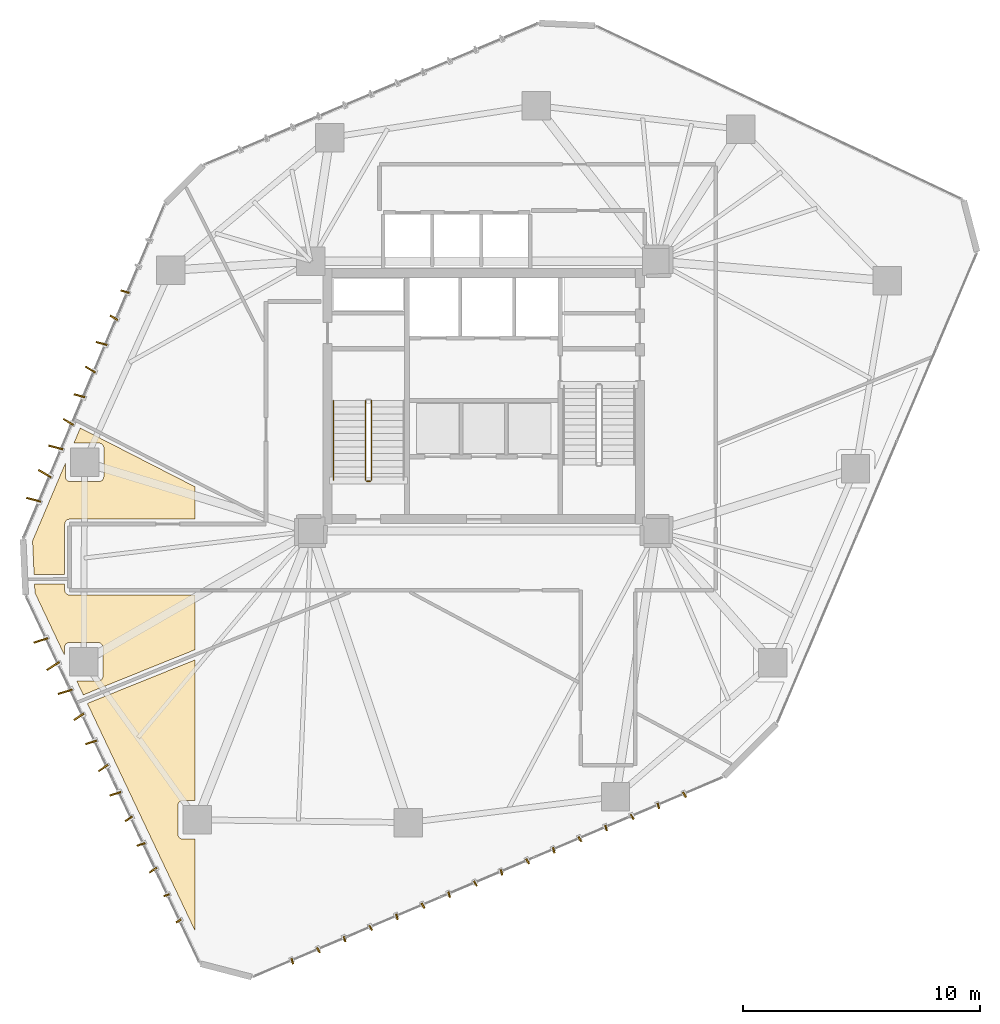
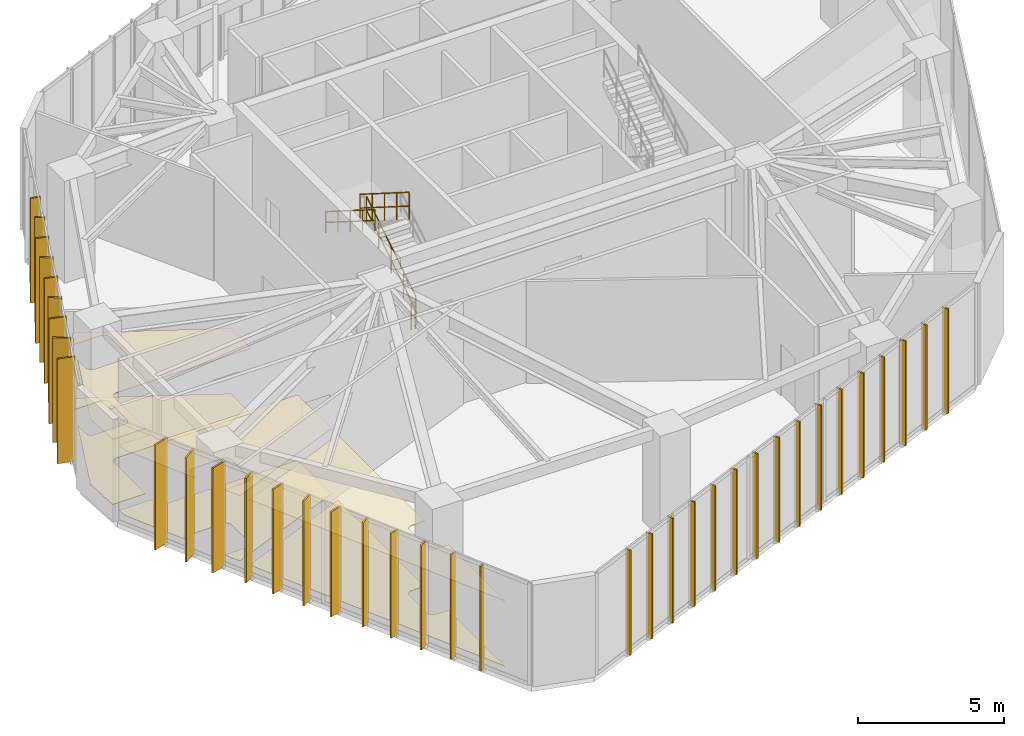
# One storey, part 25 of 28: 37 shading devices, 6 coverings, 4 railings.
"""IFC4 building model written with IfcOpenShell, lengths in metres."""

from ifc_helpers import new_model, si_unit, direction, frame, origin, origin_2d, place, context, subcontext, project, spatial, polyline, rectangle, circle, outline, extrude, source, transform, mapped, material, layer, layer_set, type_object, type_shapes, element, save


model = new_model("IFC4")

# Units and contexts
model_context = context("Model", 3, precision=1e-05, world=origin(), true_north=direction((0.0, 1.0)))
body_context = subcontext(model_context, "Body", "Model", "MODEL_VIEW")
ifc_project = project(units=[si_unit("LENGTHUNIT", "METRE"), si_unit("AREAUNIT", "SQUARE_METRE"), si_unit("VOLUMEUNIT", "CUBIC_METRE"), si_unit("PLANEANGLEUNIT", "RADIAN"), si_unit("MASSUNIT", "GRAM", prefix="KILO")], contexts=[model_context])

# Site, building, storey
site_placement = place(None, origin())
site = spatial("IfcSite", under=ifc_project, at=site_placement, CompositionType="ELEMENT")
building_placement = place(site_placement, origin())
building = spatial("IfcBuilding", under=site, at=building_placement, Name="Talar Marvaseh", CompositionType="ELEMENT")
storey_placement = place(building_placement, frame((0.0, 0.0, 157.800048828125)))
storey = spatial("IfcBuildingStorey", under=building, at=storey_placement, Name="L41", CompositionType="ELEMENT", Elevation=157.800048828125)

# Railings
ifc_material_1 = material(Name="Stainless Steel Grade 316", Category="steel")
railing_type_1 = type_object("IfcRailingType", Name="Brushed Stainless Wall Pitch Handrail 900", PredefinedType="HANDRAIL", material=ifc_material_1)
railing_1_placement = place(storey_placement, frame((19.64990234375, 31.010009765625, 2.476806640625)))
element("IfcRailing", 1, at=railing_1_placement, inside=storey, type_object=railing_type_1, Name="L41 ST-1 stair handrail 2", PredefinedType="HANDRAIL", context=body_context, shape_type="SweptSolid", body=[
    extrude(circle(Radius=0.02392578125, at=origin_2d()), frame((0.0, 0.0, 0.8759765625), z_axis=(0.0, -0.845389635667, 0.534150132366), x_axis=(1.0, 0.0, 0.0)), (0.0, 0.0, 1.0), 3.974609375),
    extrude(circle(Radius=0.02392578125, at=origin_2d()), frame((0.0, 0.0, 0.42578125), z_axis=(0.0, -0.845389635667, 0.534150132366), x_axis=(1.0, 0.0, 0.0)), (0.0, 0.0, 1.0), 3.974609375),
    extrude(circle(Radius=0.02099609375, at=origin_2d()), origin(), (0.0, 0.0, 1.0), 0.851806640625),
    extrude(circle(Radius=0.02099609375, at=origin_2d()), frame((0.0, -0.840087890625, 0.53076171875)), (0.0, 0.0, 1.0), 0.851806640625),
    extrude(circle(Radius=0.02099609375, at=origin_2d()), frame((0.0, -1.68017578125, 1.0615234375)), (0.0, 0.0, 1.0), 0.851806640625),
    extrude(circle(Radius=0.02099609375, at=origin_2d()), frame((0.0, -2.52001953125, 1.59228515625)), (0.0, 0.0, 1.0), 0.851806640625),
    extrude(circle(Radius=0.02099609375, at=origin_2d()), frame((0.0, -3.360107421875, 2.123046875)), (0.0, 0.0, 1.0), 0.851806640625),
])
railing_type_2 = type_object("IfcRailingType", Name="Painted Steel Core Stair Well Guardrail 1150", PredefinedType="GUARDRAIL", material=ifc_material_1)
railing_2_placement = place(storey_placement, frame((21.260009765625, 27.64990234375, 0.1767578125)))
element("IfcRailing", 2, at=railing_2_placement, inside=storey, type_object=railing_type_2, Name="L41 ST-1 stair guard 1", PredefinedType="GUARDRAIL", context=body_context, shape_type="SweptSolid", body=[
    extrude(circle(Radius=0.02392578125, at=origin_2d()), frame((0.0, 0.0, 1.1259765625), z_axis=(0.0, 0.845361898145, 0.534194029511), x_axis=(-1.0, 0.0, 0.0)), (0.0, 0.0, 1.0), 3.974853515625),
    extrude(circle(Radius=0.02392578125, at=origin_2d()), frame((0.0, 0.0, 0.55078125), z_axis=(0.0, 0.845361898145, 0.534194029511), x_axis=(-1.0, 0.0, 0.0)), (0.0, 0.0, 1.0), 3.974853515625),
    extrude(circle(Radius=0.02099609375, at=origin_2d()), origin(), (0.0, 0.0, 1.0), 1.101806640625),
    extrude(circle(Radius=0.02099609375, at=origin_2d()), frame((0.0, 0.840087890625, 0.53076171875)), (0.0, 0.0, 1.0), 1.101806640625),
    extrude(circle(Radius=0.02099609375, at=origin_2d()), frame((0.0, 1.68017578125, 1.0615234375)), (0.0, 0.0, 1.0), 1.101806640625),
    extrude(circle(Radius=0.02099609375, at=origin_2d()), frame((0.0, 2.52001953125, 1.592529296875)), (0.0, 0.0, 1.0), 1.101806640625),
    extrude(circle(Radius=0.02099609375, at=origin_2d()), frame((0.0, 3.360107421875, 2.123291015625)), (0.0, 0.0, 1.0), 1.101806640625),
])
railing_3_placement = place(storey_placement, frame((21.0, 31.010009765625, 2.476806640625)))
element("IfcRailing", 3, at=railing_3_placement, inside=storey, type_object=railing_type_2, Name="L41 ST-1 stair guard 3", PredefinedType="GUARDRAIL", context=body_context, shape_type="SweptSolid", body=[
    extrude(circle(Radius=0.02392578125, at=origin_2d()), frame((0.0, 0.0, 1.1259765625), z_axis=(0.0, -0.845389635667, 0.534150132366), x_axis=(1.0, 0.0, 0.0)), (0.0, 0.0, 1.0), 3.974609375),
    extrude(circle(Radius=0.02392578125, at=origin_2d()), frame((0.0, 0.0, 0.55078125), z_axis=(0.0, -0.845389635667, 0.534150132366), x_axis=(1.0, 0.0, 0.0)), (0.0, 0.0, 1.0), 3.974609375),
    extrude(circle(Radius=0.02099609375, at=origin_2d()), origin(), (0.0, 0.0, 1.0), 1.101806640625),
    extrude(circle(Radius=0.02099609375, at=origin_2d()), frame((0.0, -0.840087890625, 0.53076171875)), (0.0, 0.0, 1.0), 1.101806640625),
    extrude(circle(Radius=0.02099609375, at=origin_2d()), frame((0.0, -1.68017578125, 1.0615234375)), (0.0, 0.0, 1.0), 1.101806640625),
    extrude(circle(Radius=0.02099609375, at=origin_2d()), frame((0.0, -2.52001953125, 1.59228515625)), (0.0, 0.0, 1.0), 1.101806640625),
    extrude(circle(Radius=0.02099609375, at=origin_2d()), frame((0.0, -3.360107421875, 2.123046875)), (0.0, 0.0, 1.0), 1.101806640625),
])
railing_4_placement = place(storey_placement, frame((21.2099609375, 27.60009765625, 0.0)))
element("IfcRailing", 4, at=railing_4_placement, inside=storey, type_object=railing_type_2, Name="L41 ST-1 stair guard 4", PredefinedType="GUARDRAIL", context=body_context, shape_type="SweptSolid", body=[
    extrude(circle(Radius=0.02392578125, at=origin_2d()), frame((0.0, 0.0, 1.1259765625), z_axis=(-1.0, 0.0, 0.0), x_axis=(0.0, -1.0, 0.0)), (0.0, 0.0, 1.0), 0.159912109375),
    extrude(circle(Radius=0.02392578125, at=origin_2d()), frame((0.0, 0.0, 0.55078125), z_axis=(-1.0, 0.0, 0.0), x_axis=(0.0, -1.0, 0.0)), (0.0, 0.0, 1.0), 0.159912109375),
    extrude(circle(Radius=0.02099609375, at=origin_2d()), origin(), (0.0, 0.0, 1.0), 1.101806640625),
    extrude(circle(Radius=0.02099609375, at=origin_2d()), frame((-0.159912109375, 0.0, 0.0)), (0.0, 0.0, 1.0), 1.101806640625),
])

# Coverings
ifc_material_2 = material(Name="Mineral Fibre Acoustic Ceiling")
ifc_layer_1 = layer(ifc_material_2, 0.02490234375)
ifc_layer_set_1 = layer_set([ifc_layer_1], Name="Mineral Fibre Acoustic Ceiling")
covering_type_1 = type_object("IfcCoveringType", Name="Perforated Mineral Fibre Acoustic Suspended Ceiling", PredefinedType="CEILING", material=ifc_layer_set_1)
covering_1_placement = place(storey_placement, frame((0.0, 0.0, 2.719970703125)))
element("IfcCovering", 5, at=covering_1_placement, inside=storey, type_object=covering_type_1, Name="L41 Seminar Room Acoustic Ceiling", PredefinedType="CEILING", context=body_context, shape_type="SweptSolid", body=[
    extrude(outline(polyline([(8.328369140625, 27.771728515625), (8.331298828125, 27.75244140625), (8.3359375, 27.7333984375), (8.342529296875, 27.71484375), (8.35107421875, 27.697021484375), (8.361083984375, 27.680419921875), (8.372802734375, 27.66455078125), (8.385986328125, 27.64990234375), (8.400390625, 27.63671875), (8.416259765625, 27.625), (8.43310546875, 27.614990234375), (8.450927734375, 27.606689453125), (8.46923828125, 27.60009765625), (8.48828125, 27.59521484375), (8.5078125, 27.59228515625), (8.52734375, 27.59130859375), (9.74853515625, 27.59130859375), (9.768310546875, 27.59228515625), (9.78759765625, 27.59521484375), (9.806396484375, 27.60009765625), (9.824951171875, 27.606689453125), (9.8427734375, 27.614990234375), (9.859619140625, 27.625), (9.875244140625, 27.63671875), (9.889892578125, 27.649658203125), (9.90283203125, 27.664306640625), (9.91455078125, 27.679931640625), (9.9248046875, 27.69677734375), (9.93310546875, 27.71435546875), (9.939697265625, 27.73291015625), (9.944580078125, 27.751708984375), (9.947509765625, 27.77099609375), (9.948486328125, 27.790771484375), (9.952880859375, 29.002685546875), (9.9521484375, 29.021484375), (9.94970703125, 29.039794921875), (9.9453125, 29.05810546875), (9.939453125, 29.07568359375), (9.931884765625, 29.0927734375), (9.9228515625, 29.10888671875), (9.912353515625, 29.124267578125), (9.900390625, 29.138671875), (9.88720703125, 29.151611328125), (9.872314453125, 29.165283203125), (9.85791015625, 29.177001953125), (9.8427734375, 29.1875), (9.82666015625, 29.1962890625), (9.8095703125, 29.20361328125), (9.7919921875, 29.209716796875), (9.774169921875, 29.213623046875), (9.755615234375, 29.21630859375), (9.7373046875, 29.217041015625), (8.68701171875, 29.213134765625), (8.95703125, 29.851318359375), (13.800048828125, 27.37158203125), (13.800048828125, 26.0), (8.5, 26.0), (8.48046875, 25.9990234375), (8.4609375, 25.99609375), (8.44189453125, 25.991455078125), (8.423583984375, 25.98486328125), (8.40576171875, 25.976318359375), (8.388916015625, 25.96630859375), (8.373046875, 25.95458984375), (8.358642578125, 25.94140625), (8.345458984375, 25.927001953125), (8.333740234375, 25.9111328125), (8.323486328125, 25.894287109375), (8.315185546875, 25.87646484375), (8.30859375, 25.858154296875), (8.3037109375, 25.839111328125), (8.301025390625, 25.819580078125), (8.300048828125, 25.800048828125), (8.300048828125, 23.666015625), (7.005126953125, 23.66259765625), (6.93994140625, 25.083984375), (8.327392578125, 28.36328125), (8.327392578125, 27.79150390625), (8.328369140625, 27.771728515625)])), origin(), (0.0, 0.0, 1.0), 0.02490234375),
])
covering_2_placement = place(storey_placement, frame((0.0, 0.0, 2.719970703125)))
element("IfcCovering", 6, at=covering_2_placement, inside=storey, type_object=covering_type_1, Name="L41 Gallery Concierge Reception Acoustic Ceiling", PredefinedType="CEILING", context=body_context, shape_type="SweptSolid", body=[
    extrude(outline(polyline([(8.300048828125, 23.0), (8.301025390625, 22.98046875), (8.3037109375, 22.9609375), (8.30859375, 22.94189453125), (8.315185546875, 22.923583984375), (8.323486328125, 22.90576171875), (8.333740234375, 22.888916015625), (8.345458984375, 22.873046875), (8.358642578125, 22.858642578125), (8.373046875, 22.845458984375), (8.388916015625, 22.833740234375), (8.40576171875, 22.823486328125), (8.423583984375, 22.815185546875), (8.44189453125, 22.80859375), (8.4609375, 22.8037109375), (8.48046875, 22.801025390625), (8.5, 22.800048828125), (13.800048828125, 22.800048828125), (13.800048828125, 20.4833984375), (9.08349609375, 18.577880859375), (8.8046875, 19.16650390625), (9.711669921875, 19.16650390625), (9.731201171875, 19.16748046875), (9.75048828125, 19.170166015625), (9.76953125, 19.175048828125), (9.7880859375, 19.181640625), (9.8056640625, 19.18994140625), (9.822509765625, 19.199951171875), (9.838134765625, 19.211669921875), (9.852783203125, 19.224609375), (9.865966796875, 19.2392578125), (9.877685546875, 19.2548828125), (9.8876953125, 19.271728515625), (9.896240234375, 19.289306640625), (9.90283203125, 19.307861328125), (9.90771484375, 19.326904296875), (9.91064453125, 19.34619140625), (9.91162109375, 19.36572265625), (9.916015625, 20.577880859375), (9.9150390625, 20.596435546875), (9.91259765625, 20.61474609375), (9.908203125, 20.633056640625), (9.90234375, 20.650634765625), (9.89501953125, 20.667724609375), (9.885986328125, 20.683837890625), (9.875244140625, 20.69921875), (9.86328125, 20.713623046875), (9.85009765625, 20.726806640625), (9.835205078125, 20.740234375), (9.821044921875, 20.751953125), (9.8056640625, 20.762451171875), (9.78955078125, 20.771240234375), (9.772705078125, 20.77880859375), (9.755126953125, 20.78466796875), (9.737060546875, 20.788818359375), (9.71875, 20.791259765625), (9.7001953125, 20.7919921875), (8.48974609375, 20.78759765625), (8.47021484375, 20.78662109375), (8.45068359375, 20.78369140625), (8.431884765625, 20.77880859375), (8.413330078125, 20.772216796875), (8.395751953125, 20.763671875), (8.37890625, 20.753662109375), (8.36328125, 20.741943359375), (8.3486328125, 20.728759765625), (8.335693359375, 20.714111328125), (8.323974609375, 20.698486328125), (8.31396484375, 20.681640625), (8.3056640625, 20.6640625), (8.299072265625, 20.6455078125), (8.294189453125, 20.62646484375), (8.29150390625, 20.607177734375), (8.290283203125, 20.587646484375), (8.290283203125, 20.252197265625), (7.04052734375, 22.890625), (7.023681640625, 23.2626953125), (8.300048828125, 23.265869140625), (8.300048828125, 23.0)])), origin(), (0.0, 0.0, 1.0), 0.02490234375),
])
covering_3_placement = place(storey_placement, frame((0.0, 0.0, 2.719970703125)))
element("IfcCovering", 7, at=covering_3_placement, inside=storey, type_object=covering_type_1, Name="L41 Colloquium Boardroom Acoustic Ceiling", PredefinedType="CEILING", context=body_context, shape_type="SweptSolid", body=[
    extrude(outline(polyline([(13.800048828125, 14.111572265625), (13.27978515625, 14.109619140625), (13.260009765625, 14.108642578125), (13.24072265625, 14.105712890625), (13.2216796875, 14.100830078125), (13.203369140625, 14.09423828125), (13.185791015625, 14.085693359375), (13.1689453125, 14.07568359375), (13.1533203125, 14.06396484375), (13.138671875, 14.05078125), (13.12548828125, 14.0361328125), (13.114013671875, 14.0205078125), (13.10400390625, 14.003662109375), (13.095703125, 13.986083984375), (13.089111328125, 13.967529296875), (13.084228515625, 13.948486328125), (13.081298828125, 13.92919921875), (13.080322265625, 13.90966796875), (13.080322265625, 12.6884765625), (13.081298828125, 12.668701171875), (13.084228515625, 12.6494140625), (13.089111328125, 12.63037109375), (13.095703125, 12.61181640625), (13.10400390625, 12.593994140625), (13.114013671875, 12.577392578125), (13.125732421875, 12.5615234375), (13.138916015625, 12.547119140625), (13.153564453125, 12.53369140625), (13.169189453125, 12.522216796875), (13.18603515625, 12.511962890625), (13.203857421875, 12.503662109375), (13.222412109375, 12.4970703125), (13.241455078125, 12.4921875), (13.2607421875, 12.489501953125), (13.280517578125, 12.48828125), (13.800048828125, 12.48828125), (13.800048828125, 8.620849609375), (9.2548828125, 18.2158203125), (13.800048828125, 20.052001953125), (13.800048828125, 14.111572265625)])), origin(), (0.0, 0.0, 1.0), 0.02490234375),
])
ifc_material_3 = material(Name="Porcelain Stoneware Tile", Category="masonry")
ifc_layer_2 = layer(ifc_material_3, 0.02001953125)
ifc_layer_set_2 = layer_set([ifc_layer_2], Name="Porcelain Stoneware Tile")
covering_type_2 = type_object("IfcCoveringType", Name="Polished Porcelain Stoneware Gallery Flooring", PredefinedType="FLOORING", material=ifc_layer_set_2)
covering_4_placement = place(storey_placement, origin())
element("IfcCovering", 8, at=covering_4_placement, inside=storey, type_object=covering_type_2, Name="L41 Seminar Room Flooring", PredefinedType="FLOORING", context=body_context, shape_type="SweptSolid", body=[
    extrude(outline(polyline([(8.328369140625, 27.771728515625), (8.331298828125, 27.75244140625), (8.3359375, 27.7333984375), (8.342529296875, 27.71484375), (8.35107421875, 27.697021484375), (8.361083984375, 27.680419921875), (8.372802734375, 27.66455078125), (8.385986328125, 27.64990234375), (8.400390625, 27.63671875), (8.416259765625, 27.625), (8.43310546875, 27.614990234375), (8.450927734375, 27.606689453125), (8.46923828125, 27.60009765625), (8.48828125, 27.59521484375), (8.5078125, 27.59228515625), (8.52734375, 27.59130859375), (9.74853515625, 27.59130859375), (9.768310546875, 27.59228515625), (9.78759765625, 27.59521484375), (9.806396484375, 27.60009765625), (9.824951171875, 27.606689453125), (9.8427734375, 27.614990234375), (9.859619140625, 27.625), (9.875244140625, 27.63671875), (9.889892578125, 27.649658203125), (9.90283203125, 27.664306640625), (9.91455078125, 27.679931640625), (9.9248046875, 27.69677734375), (9.93310546875, 27.71435546875), (9.939697265625, 27.73291015625), (9.944580078125, 27.751708984375), (9.947509765625, 27.77099609375), (9.948486328125, 27.790771484375), (9.952880859375, 29.002685546875), (9.9521484375, 29.021484375), (9.94970703125, 29.039794921875), (9.9453125, 29.05810546875), (9.939453125, 29.07568359375), (9.931884765625, 29.0927734375), (9.9228515625, 29.10888671875), (9.912353515625, 29.124267578125), (9.900390625, 29.138671875), (9.88720703125, 29.151611328125), (9.872314453125, 29.165283203125), (9.85791015625, 29.177001953125), (9.8427734375, 29.1875), (9.82666015625, 29.1962890625), (9.8095703125, 29.20361328125), (9.7919921875, 29.209716796875), (9.774169921875, 29.213623046875), (9.755615234375, 29.21630859375), (9.7373046875, 29.217041015625), (8.68701171875, 29.213134765625), (8.95703125, 29.851318359375), (13.800048828125, 27.37158203125), (13.800048828125, 26.0), (8.5, 26.0), (8.48046875, 25.9990234375), (8.4609375, 25.99609375), (8.44189453125, 25.991455078125), (8.423583984375, 25.98486328125), (8.40576171875, 25.976318359375), (8.388916015625, 25.96630859375), (8.373046875, 25.95458984375), (8.358642578125, 25.94140625), (8.345458984375, 25.927001953125), (8.333740234375, 25.9111328125), (8.323486328125, 25.894287109375), (8.315185546875, 25.87646484375), (8.30859375, 25.858154296875), (8.3037109375, 25.839111328125), (8.301025390625, 25.819580078125), (8.300048828125, 25.800048828125), (8.300048828125, 23.666015625), (7.005126953125, 23.66259765625), (6.93994140625, 25.083984375), (8.327392578125, 28.36328125), (8.327392578125, 27.79150390625), (8.328369140625, 27.771728515625)])), origin(), (0.0, 0.0, 1.0), 0.02001953125),
])
covering_5_placement = place(storey_placement, origin())
element("IfcCovering", 9, at=covering_5_placement, inside=storey, type_object=covering_type_2, Name="L41 Gallery Concierge Reception Flooring", PredefinedType="FLOORING", context=body_context, shape_type="SweptSolid", body=[
    extrude(outline(polyline([(8.300048828125, 23.0), (8.301025390625, 22.98046875), (8.3037109375, 22.9609375), (8.30859375, 22.94189453125), (8.315185546875, 22.923583984375), (8.323486328125, 22.90576171875), (8.333740234375, 22.888916015625), (8.345458984375, 22.873046875), (8.358642578125, 22.858642578125), (8.373046875, 22.845458984375), (8.388916015625, 22.833740234375), (8.40576171875, 22.823486328125), (8.423583984375, 22.815185546875), (8.44189453125, 22.80859375), (8.4609375, 22.8037109375), (8.48046875, 22.801025390625), (8.5, 22.800048828125), (13.800048828125, 22.800048828125), (13.800048828125, 20.4833984375), (9.08349609375, 18.577880859375), (8.8046875, 19.16650390625), (9.711669921875, 19.16650390625), (9.731201171875, 19.16748046875), (9.75048828125, 19.170166015625), (9.76953125, 19.175048828125), (9.7880859375, 19.181640625), (9.8056640625, 19.18994140625), (9.822509765625, 19.199951171875), (9.838134765625, 19.211669921875), (9.852783203125, 19.224609375), (9.865966796875, 19.2392578125), (9.877685546875, 19.2548828125), (9.8876953125, 19.271728515625), (9.896240234375, 19.289306640625), (9.90283203125, 19.307861328125), (9.90771484375, 19.326904296875), (9.91064453125, 19.34619140625), (9.91162109375, 19.36572265625), (9.916015625, 20.577880859375), (9.9150390625, 20.596435546875), (9.91259765625, 20.61474609375), (9.908203125, 20.633056640625), (9.90234375, 20.650634765625), (9.89501953125, 20.667724609375), (9.885986328125, 20.683837890625), (9.875244140625, 20.69921875), (9.86328125, 20.713623046875), (9.85009765625, 20.726806640625), (9.835205078125, 20.740234375), (9.821044921875, 20.751953125), (9.8056640625, 20.762451171875), (9.78955078125, 20.771240234375), (9.772705078125, 20.77880859375), (9.755126953125, 20.78466796875), (9.737060546875, 20.788818359375), (9.71875, 20.791259765625), (9.7001953125, 20.7919921875), (8.48974609375, 20.78759765625), (8.47021484375, 20.78662109375), (8.45068359375, 20.78369140625), (8.431884765625, 20.77880859375), (8.413330078125, 20.772216796875), (8.395751953125, 20.763671875), (8.37890625, 20.753662109375), (8.36328125, 20.741943359375), (8.3486328125, 20.728759765625), (8.335693359375, 20.714111328125), (8.323974609375, 20.698486328125), (8.31396484375, 20.681640625), (8.3056640625, 20.6640625), (8.299072265625, 20.6455078125), (8.294189453125, 20.62646484375), (8.29150390625, 20.607177734375), (8.290283203125, 20.587646484375), (8.290283203125, 20.252197265625), (7.04052734375, 22.890625), (7.023681640625, 23.2626953125), (8.300048828125, 23.265869140625), (8.300048828125, 23.0)])), origin(), (0.0, 0.0, 1.0), 0.02001953125),
])
covering_6_placement = place(storey_placement, origin())
element("IfcCovering", 10, at=covering_6_placement, inside=storey, type_object=covering_type_2, Name="L41 Colloquium Boardroom Flooring", PredefinedType="FLOORING", context=body_context, shape_type="SweptSolid", body=[
    extrude(outline(polyline([(13.800048828125, 14.111572265625), (13.27978515625, 14.109619140625), (13.260009765625, 14.108642578125), (13.24072265625, 14.105712890625), (13.2216796875, 14.100830078125), (13.203369140625, 14.09423828125), (13.185791015625, 14.085693359375), (13.1689453125, 14.07568359375), (13.1533203125, 14.06396484375), (13.138671875, 14.05078125), (13.12548828125, 14.0361328125), (13.114013671875, 14.0205078125), (13.10400390625, 14.003662109375), (13.095703125, 13.986083984375), (13.089111328125, 13.967529296875), (13.084228515625, 13.948486328125), (13.081298828125, 13.92919921875), (13.080322265625, 13.90966796875), (13.080322265625, 12.6884765625), (13.081298828125, 12.668701171875), (13.084228515625, 12.6494140625), (13.089111328125, 12.63037109375), (13.095703125, 12.61181640625), (13.10400390625, 12.593994140625), (13.114013671875, 12.577392578125), (13.125732421875, 12.5615234375), (13.138916015625, 12.547119140625), (13.153564453125, 12.53369140625), (13.169189453125, 12.522216796875), (13.18603515625, 12.511962890625), (13.203857421875, 12.503662109375), (13.222412109375, 12.4970703125), (13.241455078125, 12.4921875), (13.2607421875, 12.489501953125), (13.280517578125, 12.48828125), (13.800048828125, 12.48828125), (13.800048828125, 8.620849609375), (9.2548828125, 18.2158203125), (13.800048828125, 20.052001953125), (13.800048828125, 14.111572265625)])), origin(), (0.0, 0.0, 1.0), 0.02001953125),
])

# Shading devices
ifc_material_4 = material(Name="Anodised Champagne Bronze Aluminium", Category="aluminium")
ifc_layer_3 = layer(ifc_material_4, 0.06494140625)
ifc_layer_set_3 = layer_set([ifc_layer_3], Name="Anodised Champagne Bronze Aluminium")
shading_device_type_1 = type_object("IfcShadingDeviceType", Name="Sawtooth Champagne Bronze Vertical Fin 240", PredefinedType="USERDEFINED", material=ifc_layer_set_3)
shared_shape_1 = source(origin(), body_context, "Body", "SweptSolid", [
    extrude(rectangle(XDim=0.239990234375, YDim=0.06494140625, at=origin_2d()), origin(), (0.0, 0.0, 1.0), 4.3701171875),
])
type_shapes(shading_device_type_1, [shared_shape_1])
for number, where, z_axis, x_axis, name in (
    (11, (13.1142578125, 9.029052734375, -0.1201171875), (0.0, 0.0, 1.0), (-0.835327930385, -0.549751988372, 0.0), "L41 Sawtooth Vertical Solar Fin"),
    (12, (12.6005859375, 10.113525390625, -0.1201171875), (0.0, 0.0, 1.0), (-0.954500927457, -0.298207946716, 0.0), "L41 Sawtooth Vertical Solar Fin"),
    (13, (34.48291015625, 14.358642578125, -0.1201171875), (0.0, 0.0, 1.0), (0.515187670981, -0.857077396545, 0.0), "L41 Sawtooth Vertical Solar Fin"),
    (14, (33.37841796875, 13.8896484375, -0.1201171875), (0.0, 0.0, 1.0), (0.25898762702, -0.965880639132, 0.0), "L41 Sawtooth Vertical Solar Fin"),
    (15, (32.273681640625, 13.42041015625, -0.1201171875), (0.0, 0.0, 1.0), (0.515187670981, -0.857077396545, 0.0), "L41 Sawtooth Vertical Solar Fin"),
    (16, (31.169189453125, 12.951416015625, -0.1201171875), (0.0, 0.0, 1.0), (0.25898762702, -0.965880639132, 0.0), "L41 Sawtooth Vertical Solar Fin"),
    (17, (30.064697265625, 12.482421875, -0.1201171875), (0.0, 0.0, 1.0), (0.515187670981, -0.857077396545, 0.0), "L41 Sawtooth Vertical Solar Fin"),
    (18, (28.960205078125, 12.013427734375, -0.1201171875), (0.0, 0.0, 1.0), (0.25898762702, -0.965880639132, 0.0), "L41 Sawtooth Vertical Solar Fin"),
    (19, (27.855712890625, 11.544189453125, -0.1201171875), (0.0, 0.0, 1.0), (0.515187670981, -0.857077396545, 0.0), "L41 Sawtooth Vertical Solar Fin"),
    (20, (26.751220703125, 11.0751953125, -0.1201171875), (0.0, 0.0, 1.0), (0.25898762702, -0.965880639132, 0.0), "L41 Sawtooth Vertical Solar Fin"),
    (21, (25.646484375, 10.606201171875, -0.1201171875), (0.0, 0.0, 1.0), (0.515187670981, -0.857077396545, 0.0), "L41 Sawtooth Vertical Solar Fin"),
    (22, (24.5419921875, 10.13720703125, -0.1201171875), (0.0, 0.0, 1.0), (0.25898762702, -0.965880639132, 0.0), "L41 Sawtooth Vertical Solar Fin"),
    (23, (23.4375, 9.668212890625, -0.1201171875), (0.0, 0.0, 1.0), (0.515187670981, -0.857077396545, 0.0), "L41 Sawtooth Vertical Solar Fin"),
    (24, (22.3330078125, 9.19921875, -0.1201171875), (0.0, 0.0, 1.0), (0.25898762702, -0.965880639132, 0.0), "L41 Sawtooth Vertical Solar Fin"),
    (25, (21.228515625, 8.72998046875, -0.1201171875), (0.0, 0.0, 1.0), (0.515187670981, -0.857077396545, 0.0), "L41 Sawtooth Vertical Solar Fin"),
    (26, (20.123779296875, 8.260986328125, -0.1201171875), (0.0, 0.0, 1.0), (0.25898762702, -0.965880639132, 0.0), "L41 Sawtooth Vertical Solar Fin"),
    (27, (19.019287109375, 7.7919921875, -0.1201171875), (0.0, 0.0, 1.0), (0.515187670981, -0.857077396545, 0.0), "L41 Sawtooth Vertical Solar Fin"),
    (28, (17.914794921875, 7.322998046875, -0.1201171875), (0.0, 0.0, 1.0), (0.25898762702, -0.965880639132, 0.0), "L41 Sawtooth Vertical Solar Fin"),
):
    element("IfcShadingDevice", number, at=place(storey_placement, frame(where, z_axis=z_axis, x_axis=x_axis)), inside=storey, type_object=shading_device_type_1, Name=name, ObjectType="FIN", PredefinedType="USERDEFINED", context=body_context, shape_type="MappedRepresentation", body=[
        mapped(shared_shape_1, transform((0.0, 0.0, 0.0), x_axis=(1.0, 0.0, 0.0), y_axis=(0.0, 1.0, 0.0), z_axis=(0.0, 0.0, 1.0), scale=1.0)),
    ])
ifc_layer_4 = layer(ifc_material_4, 0.06494140625)
ifc_layer_set_4 = layer_set([ifc_layer_4], Name="Anodised Champagne Bronze Aluminium")
shading_device_type_2 = type_object("IfcShadingDeviceType", Name="Sawtooth Champagne Bronze Vertical Fin 360", PredefinedType="USERDEFINED", material=ifc_layer_set_4)
shared_shape_2 = source(origin(), body_context, "Body", "SweptSolid", [
    extrude(rectangle(XDim=0.360107421875, YDim=0.06494140625, at=origin_2d()), origin(), (0.0, 0.0, 1.0), 4.3701171875),
])
type_shapes(shading_device_type_2, [shared_shape_2])
for number, where, z_axis, x_axis, name in (
    (29, (12.03271484375, 11.17236328125, -0.1201171875), (0.0, 0.0, 1.0), (-0.835327930385, -0.549751988372, 0.0), "L41 Sawtooth Vertical Solar Fin"),
    (30, (11.51904296875, 12.2568359375, -0.1201171875), (0.0, 0.0, 1.0), (-0.954500927457, -0.298207946716, 0.0), "L41 Sawtooth Vertical Solar Fin"),
    (31, (11.00537109375, 13.34130859375, -0.1201171875), (0.0, 0.0, 1.0), (-0.835327930385, -0.549751988372, 0.0), "L41 Sawtooth Vertical Solar Fin"),
    (32, (10.37841796875, 34.5068359375, -0.1201171875), (0.0, 0.0, 1.0), (-0.857795898543, 0.513990463377, 0.0), "L41 Sawtooth Vertical Solar Fin"),
    (33, (10.845703125, 35.612060546875, -0.1201171875), (0.0, 0.0, 1.0), (-0.966241312443, 0.257638751216, 0.0), "L41 Sawtooth Vertical Solar Fin"),
):
    element("IfcShadingDevice", number, at=place(storey_placement, frame(where, z_axis=z_axis, x_axis=x_axis)), inside=storey, type_object=shading_device_type_2, Name=name, ObjectType="FIN", PredefinedType="USERDEFINED", context=body_context, shape_type="MappedRepresentation", body=[
        mapped(shared_shape_2, transform((0.0, 0.0, 0.0), x_axis=(1.0, 0.0, 0.0), y_axis=(0.0, 1.0, 0.0), z_axis=(0.0, 0.0, 1.0), scale=1.0)),
    ])
ifc_layer_5 = layer(ifc_material_4, 0.06494140625)
ifc_layer_set_5 = layer_set([ifc_layer_5], Name="Anodised Champagne Bronze Aluminium")
shading_device_type_3 = type_object("IfcShadingDeviceType", Name="Sawtooth Champagne Bronze Vertical Fin 480", PredefinedType="USERDEFINED", material=ifc_layer_set_5)
shared_shape_3 = source(origin(), body_context, "Body", "SweptSolid", [
    extrude(rectangle(XDim=0.47998046875, YDim=0.06494140625, at=origin_2d()), origin(), (0.0, 0.0, 1.0), 4.3701171875),
])
type_shapes(shading_device_type_3, [shared_shape_3])
for number, where, z_axis, x_axis, name in (
    (34, (10.4375, 14.39990234375, -0.1201171875), (0.0, 0.0, 1.0), (-0.954500927457, -0.298207946716, 0.0), "L41 Sawtooth Vertical Solar Fin"),
    (35, (9.923583984375, 15.484619140625, -0.1201171875), (0.0, 0.0, 1.0), (-0.835327930385, -0.549751988372, 0.0), "L41 Sawtooth Vertical Solar Fin"),
    (36, (9.409912109375, 16.569091796875, -0.1201171875), (0.0, 0.0, 1.0), (-0.954500927457, -0.298207946716, 0.0), "L41 Sawtooth Vertical Solar Fin"),
    (37, (8.896240234375, 17.653564453125, -0.1201171875), (0.0, 0.0, 1.0), (-0.835327930385, -0.549751988372, 0.0), "L41 Sawtooth Vertical Solar Fin"),
    (38, (8.45263671875, 30.109619140625, -0.1201171875), (0.0, 0.0, 1.0), (-0.857795898543, 0.513990463377, 0.0), "L41 Sawtooth Vertical Solar Fin"),
    (39, (8.92041015625, 31.214599609375, -0.1201171875), (0.0, 0.0, 1.0), (-0.966241312443, 0.257638751216, 0.0), "L41 Sawtooth Vertical Solar Fin"),
    (40, (9.387939453125, 32.31982421875, -0.1201171875), (0.0, 0.0, 1.0), (-0.857795898543, 0.513990463377, 0.0), "L41 Sawtooth Vertical Solar Fin"),
    (41, (9.85546875, 33.425048828125, -0.1201171875), (0.0, 0.0, 1.0), (-0.966241312443, 0.257638751216, 0.0), "L41 Sawtooth Vertical Solar Fin"),
):
    element("IfcShadingDevice", number, at=place(storey_placement, frame(where, z_axis=z_axis, x_axis=x_axis)), inside=storey, type_object=shading_device_type_3, Name=name, ObjectType="FIN", PredefinedType="USERDEFINED", context=body_context, shape_type="MappedRepresentation", body=[
        mapped(shared_shape_3, transform((0.0, 0.0, 0.0), x_axis=(1.0, 0.0, 0.0), y_axis=(0.0, 1.0, 0.0), z_axis=(0.0, 0.0, 1.0), scale=1.0)),
    ])
ifc_layer_6 = layer(ifc_material_4, 0.06494140625)
ifc_layer_set_6 = layer_set([ifc_layer_6], Name="Anodised Champagne Bronze Aluminium")
shading_device_type_4 = type_object("IfcShadingDeviceType", Name="Sawtooth Champagne Bronze Vertical Fin 620", PredefinedType="USERDEFINED", material=ifc_layer_set_6)
shared_shape_4 = source(origin(), body_context, "Body", "SweptSolid", [
    extrude(rectangle(XDim=0.6201171875, YDim=0.06494140625, at=origin_2d()), origin(), (0.0, 0.0, 1.0), 4.3701171875),
])
type_shapes(shading_device_type_4, [shared_shape_4])
for number, where, z_axis, x_axis, name in (
    (42, (8.3193359375, 18.7080078125, -0.1201171875), (0.0, 0.0, 1.0), (-0.954500927457, -0.298207946716, 0.0), "L41 Sawtooth Vertical Solar Fin"),
    (43, (7.8056640625, 19.79248046875, -0.1201171875), (0.0, 0.0, 1.0), (-0.835327930385, -0.549751988372, 0.0), "L41 Sawtooth Vertical Solar Fin"),
    (44, (7.2919921875, 20.876953125, -0.1201171875), (0.0, 0.0, 1.0), (-0.954500927457, -0.298207946716, 0.0), "L41 Sawtooth Vertical Solar Fin"),
    (45, (6.985595703125, 26.8212890625, -0.1201171875), (0.0, 0.0, 1.0), (-0.966241312443, 0.257638751216, 0.0), "L41 Sawtooth Vertical Solar Fin"),
    (46, (7.453125, 27.926513671875, -0.1201171875), (0.0, 0.0, 1.0), (-0.857795898543, 0.513990463377, 0.0), "L41 Sawtooth Vertical Solar Fin"),
    (47, (7.920654296875, 29.03173828125, -0.1201171875), (0.0, 0.0, 1.0), (-0.966241312443, 0.257638751216, 0.0), "L41 Sawtooth Vertical Solar Fin"),
):
    element("IfcShadingDevice", number, at=place(storey_placement, frame(where, z_axis=z_axis, x_axis=x_axis)), inside=storey, type_object=shading_device_type_4, Name=name, ObjectType="FIN", PredefinedType="USERDEFINED", context=body_context, shape_type="MappedRepresentation", body=[
        mapped(shared_shape_4, transform((0.0, 0.0, 0.0), x_axis=(1.0, 0.0, 0.0), y_axis=(0.0, 1.0, 0.0), z_axis=(0.0, 0.0, 1.0), scale=1.0)),
    ])

save(model, "model.ifc")
